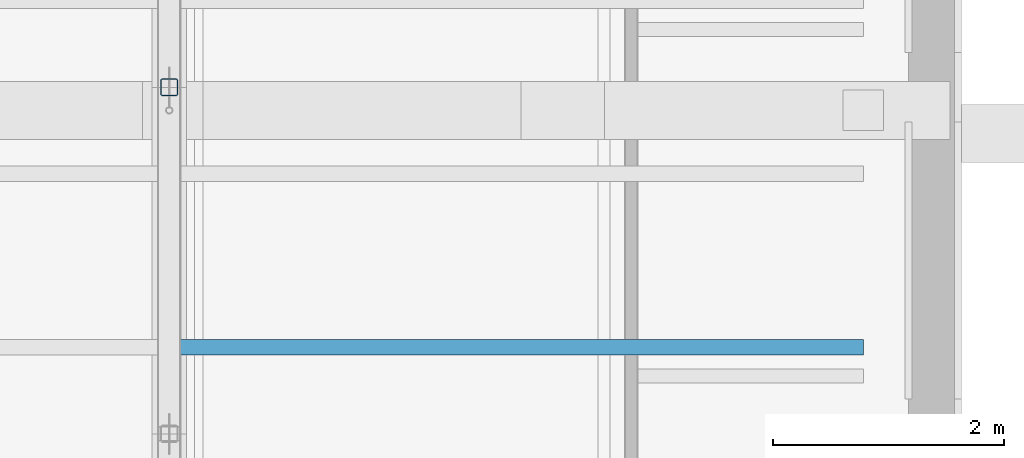
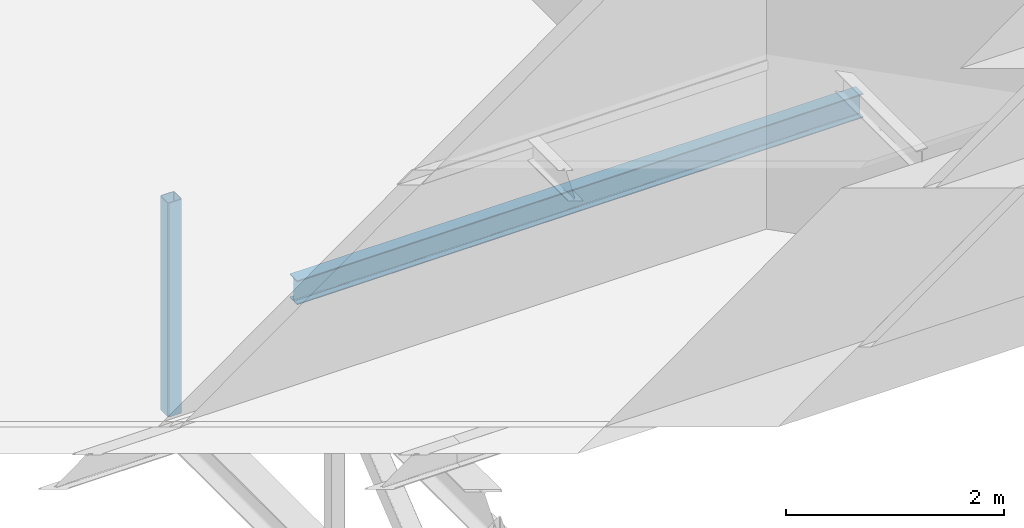
# One storey, part 12 of 55: 1 beam, 1 member.
"""IFC4 building model written with IfcOpenShell, lengths in metres."""

import ifcopenshell
import ifcopenshell.guid

model = None  # the IFC model being written
_history = None  # IfcOwnerHistory: only IFC2X3 demands one
_inside = {}  # id of a spatial element -> (the spatial element, [elements in it])
_under = {}  # id of a project, library or spatial element -> (it, [spatial elements below it])
_declared = {}  # id of a project -> (the project, [libraries it declares])
_typed = {}  # id of a type object -> (the type object, [elements of that type])
_made_of = {}  # id of a material, layer set ... -> (it, [elements and type objects made of it])


def new_model(schema):
    """Start an empty IFC model of exactly this schema.

    Asked for "IFC4X3", IfcOpenShell would pick the latest addendum, in which some entities
    have other attributes; the version numbers below select the first issue.
    IFC2X3 requires an IfcOwnerHistory on every rooted entity: one is made here for all.
    """
    global model, _history
    if schema == "IFC4X3":
        model = ifcopenshell.file(schema_version=(4, 3, 0, 0))
    else:
        model = ifcopenshell.file(schema=schema)
    _inside.clear()
    _under.clear()
    _declared.clear()
    _typed.clear()
    _made_of.clear()
    _history = None
    if model.schema == "IFC2X3":
        org = make("IfcOrganization", Name="unknown")
        user = make(
            "IfcPersonAndOrganization",
            ThePerson=make("IfcPerson", FamilyName="unknown"),
            TheOrganization=org,
        )
        app = make(
            "IfcApplication",
            ApplicationDeveloper=org,
            Version="unknown",
            ApplicationFullName="unknown",
            ApplicationIdentifier="unknown",
        )
        _history = make(
            "IfcOwnerHistory",
            OwningUser=user,
            OwningApplication=app,
            ChangeAction="ADDED",
            CreationDate=0,
        )
    return model


def make(cls, **values):
    """One entity of the class cls with the attributes given. An attribute that is None is left unset."""
    return model.create_entity(
        cls, **{name: value for name, value in values.items() if value is not None}
    )


def rooted(cls, **values):
    """An entity with a GlobalId (a new one), such as an element, a storey or a relation."""
    return make(cls, GlobalId=ifcopenshell.guid.new(), OwnerHistory=_history, **values)


def si_unit(unit_type, name, prefix=None):
    """IfcSIUnit, for example si_unit("LENGTHUNIT", "METRE", prefix="MILLI")."""
    return make("IfcSIUnit", UnitType=unit_type, Prefix=prefix, Name=name)


def assignment(units):
    """IfcUnitAssignment: the units of a project."""
    return None if units is None else make("IfcUnitAssignment", Units=units)


def point(xyz):
    """IfcCartesianPoint."""
    return None if xyz is None else make("IfcCartesianPoint", Coordinates=xyz)


def direction(xyz):
    """IfcDirection."""
    return None if xyz is None else make("IfcDirection", DirectionRatios=xyz)


def frame(location, z_axis=None, x_axis=None):
    """IfcAxis2Placement3D, a coordinate frame: its origin and axes. An axis left out is left unset."""
    return make(
        "IfcAxis2Placement3D",
        Location=point(location),
        Axis=direction(z_axis),
        RefDirection=direction(x_axis),
    )


def frame_2d(location, x_axis=None):
    """IfcAxis2Placement2D, a coordinate frame in the plane: its origin and x axis."""
    return make(
        "IfcAxis2Placement2D", Location=point(location), RefDirection=direction(x_axis)
    )


def origin():
    """The frame at (0, 0, 0) with its axes left unset."""
    return frame((0.0, 0.0, 0.0))


def origin_2d():
    """The frame at (0, 0) in the plane with its x axis left unset."""
    return frame_2d((0.0, 0.0))


def place(relative_to, where):
    """IfcLocalPlacement: puts the frame where relative to a parent placement (None: the world)."""
    return make(
        "IfcLocalPlacement", PlacementRelTo=relative_to, RelativePlacement=where
    )


def context(
    kind, dimensions, precision=None, world=None, true_north=None, identifier=None
):
    """IfcGeometricRepresentationContext, for example the 3D "Model" context."""
    return make(
        "IfcGeometricRepresentationContext",
        ContextIdentifier=identifier,
        ContextType=kind,
        CoordinateSpaceDimension=dimensions,
        Precision=precision,
        WorldCoordinateSystem=world,
        TrueNorth=true_north,
    )


def subcontext(parent, identifier, kind, view, scale=None):
    """IfcGeometricRepresentationSubContext, for example "Body" below "Model"."""
    return make(
        "IfcGeometricRepresentationSubContext",
        ContextIdentifier=identifier,
        ContextType=kind,
        ParentContext=parent,
        TargetScale=scale,
        TargetView=view,
    )


def project(units=None, contexts=None):
    """IfcProject with its units and contexts."""
    return rooted(
        "IfcProject",
        Name="project",
        RepresentationContexts=contexts,
        UnitsInContext=assignment(units),
    )


def spatial(cls, under=None, at=None, **own):
    """A site, building, storey or space (cls), placed at a placement, below another one or the project."""
    s = rooted(cls, ObjectPlacement=at, **own)
    if under is not None:
        _under.setdefault(under.id(), (under, []))[1].append(s)
    return s


def profile(cls, at=None, kind="AREA", **sizes):
    """A parametric profile (cls). Its sizes go by their IFC names, for example OverallWidth=200.0."""
    return make(cls, ProfileType=kind, Position=at, **sizes)


def hollow_rectangle(**sizes):
    """IfcRectangleHollowProfileDef."""
    return profile("IfcRectangleHollowProfileDef", **sizes)


def i_section(**sizes):
    """IfcIShapeProfileDef."""
    return profile("IfcIShapeProfileDef", **sizes)


def extrude(swept, where, along, depth):
    """IfcExtrudedAreaSolid: the profile swept, set in the frame where, extruded along a direction by depth."""
    return make(
        "IfcExtrudedAreaSolid",
        SweptArea=swept,
        Position=where,
        ExtrudedDirection=direction(along),
        Depth=depth,
    )


def shape(context_of_items, identifier, shape_type, items):
    """IfcShapeRepresentation: the items that make up one representation, for example the "Body"."""
    return make(
        "IfcShapeRepresentation",
        ContextOfItems=context_of_items,
        RepresentationIdentifier=identifier,
        RepresentationType=shape_type,
        Items=items,
    )


def material(Name=None, Category=None):
    """IfcMaterial."""
    return make("IfcMaterial", Name=Name, Category=Category)


def material_profile(
    of_material, cross_section, Name=None, Category=None, Priority=None
):
    """IfcMaterialProfile: a cross section and its material."""
    return make(
        "IfcMaterialProfile",
        Name=Name,
        Material=of_material,
        Profile=cross_section,
        Priority=Priority,
        Category=Category,
    )


def profile_set(profiles, Name=None, composite=None):
    """IfcMaterialProfileSet."""
    return make(
        "IfcMaterialProfileSet",
        Name=Name,
        MaterialProfiles=profiles,
        CompositeProfile=composite,
    )


def made_of(thing, what):
    """Note that an element or type object is made of a material, layer set ...; save() writes the relation."""
    if what is not None:
        _made_of.setdefault(what.id(), (what, []))[1].append(thing)
    return thing


def type_object(cls, material=None, **own):
    """A type object (cls), such as IfcWallType, which elements share."""
    return made_of(rooted(cls, **own), material)


def element(
    cls,
    number,
    at=None,
    inside=None,
    cuts=None,
    type_object=None,
    material=None,
    context=None,
    identifier="Body",
    shape_type=None,
    held_by="IfcProductDefinitionShape",
    body=None,
    shapes=None,
    **own,
):
    """One element of the class cls, such as IfcWall. Its Tag is "e" and its number.

    at: its placement. inside: the storey or other place that contains it. cuts: it is an
    opening in that element (IfcRelVoidsElement). A single representation is given by context,
    identifier, shape_type and body (its items); several are given by shapes. held_by: the class
    of the entity that holds the representations. save() writes the other relations.
    """
    e = rooted(cls, Tag="e%d" % number, ObjectPlacement=at, **own)
    if body is not None:
        shapes = [shape(context, identifier, shape_type, body)]
    if shapes is not None:
        e.Representation = make(held_by, Representations=shapes)
    if inside is not None:
        _inside.setdefault(inside.id(), (inside, []))[1].append(e)
    if cuts is not None:
        rooted(
            "IfcRelVoidsElement", RelatingBuildingElement=cuts, RelatedOpeningElement=e
        )
    if type_object is not None:
        _typed.setdefault(type_object.id(), (type_object, []))[1].append(e)
    return made_of(e, material)


def aggregate(whole, parts):
    """IfcRelAggregates: a whole, such as a stair, and the parts it consists of."""
    return rooted("IfcRelAggregates", RelatingObject=whole, RelatedObjects=parts)


def save(model, path):
    """Write the relations noted so far, then the file.

    IfcRelAggregates (storeys below a building ...), IfcRelContainedInSpatialStructure (elements
    in a storey), IfcRelDefinesByType, IfcRelAssociatesMaterial and IfcRelDeclares: one each for
    every whole, place, type object, material and project.
    """
    for whole, parts in _under.values():
        aggregate(whole, parts)
    for where, things in _inside.values():
        rooted(
            "IfcRelContainedInSpatialStructure",
            RelatedElements=things,
            RelatingStructure=where,
        )
    for kind, things in _typed.values():
        rooted("IfcRelDefinesByType", RelatedObjects=things, RelatingType=kind)
    for what, things in _made_of.values():
        rooted("IfcRelAssociatesMaterial", RelatedObjects=things, RelatingMaterial=what)
    for by, libraries in _declared.values():
        rooted("IfcRelDeclares", RelatingContext=by, RelatedDefinitions=libraries)
    model.write(path)


model = new_model("IFC4")

# Units and contexts
model_context = context("Model", 3, precision=1e-05, world=origin(), true_north=direction((0.0, 1.0)))
body_context = subcontext(model_context, "Body", "Model", "MODEL_VIEW")
ifc_project = project(units=[si_unit("LENGTHUNIT", "METRE"), si_unit("AREAUNIT", "SQUARE_METRE"), si_unit("VOLUMEUNIT", "CUBIC_METRE"), si_unit("PLANEANGLEUNIT", "RADIAN"), si_unit("MASSUNIT", "GRAM", prefix="KILO")], contexts=[model_context])

# Site, building, storey
site_placement = place(None, origin())
site = spatial("IfcSite", under=ifc_project, at=site_placement, CompositionType="ELEMENT")
building_placement = place(site_placement, origin())
building = spatial("IfcBuilding", under=site, at=building_placement, Name="Lunette Opera House", CompositionType="ELEMENT")
storey_placement = place(building_placement, frame((0.0, 0.0, 34.0)))
storey = spatial("IfcBuildingStorey", under=building, at=storey_placement, Name="L06", CompositionType="ELEMENT", Elevation=34.0)

# Beam
ifc_material_1 = material(Name="Steel S355", Category="steel")
ifc_material_profile_1 = material_profile(ifc_material_1, i_section(OverallWidth=0.135009765625, OverallDepth=0.27001953125, WebThickness=0.006591796875, FlangeThickness=0.01025390625, FilletRadius=0.014892578125, at=origin_2d()), Name="IPE 270")
ifc_profile_set_1 = profile_set([ifc_material_profile_1], Name="Steel S355")
beam_type = type_object("IfcBeamType", Name="STEEL BEAM IPE 270", PredefinedType="BEAM", material=ifc_profile_set_1)
beam_placement = place(storey_placement, frame((102.0, 99.75, -0.3349609375), z_axis=(1.0, 0.0, 0.0), x_axis=(0.0, 1.0, 0.0)))
element("IfcBeam", 1, at=beam_placement, inside=storey, type_object=beam_type, Name="beam-ST-L06-GRID-9975-4", PredefinedType="BEAM", context=body_context, shape_type="SweptSolid", body=[
    extrude(i_section(OverallWidth=0.135009765625, OverallDepth=0.27001953125, WebThickness=0.006591796875, FlangeThickness=0.01025390625, FilletRadius=0.014892578125, at=origin_2d()), origin(), (0.0, 0.0, 1.0), 6.010009765625),
])

# Member
ifc_material_2 = material(Name="Steel S355", Category="steel")
ifc_material_profile_2 = material_profile(ifc_material_2, hollow_rectangle(XDim=0.14990234375, YDim=0.14990234375, WallThickness=0.008056640625, InnerFilletRadius=0.008056640625, OuterFilletRadius=0.01611328125, at=origin_2d()), Name="RHS 150X150X8")
ifc_profile_set_2 = profile_set([ifc_material_profile_2], Name="Steel S355")
member_type = type_object("IfcMemberType", Name="VERTICAL RHS 150X150X8", PredefinedType="POST", material=ifc_profile_set_2)
member_placement = place(storey_placement, frame((102.0, 102.0, -3.06494140625), z_axis=(0.0, 0.0, 1.0), x_axis=(1.0, 0.0, 0.0)))
element("IfcMember", 2, at=member_placement, inside=storey, type_object=member_type, Name="mem-ST-L06-ST-TR03-TV3", PredefinedType="POST", context=body_context, shape_type="SweptSolid", body=[
    extrude(hollow_rectangle(XDim=0.14990234375, YDim=0.14990234375, WallThickness=0.008056640625, InnerFilletRadius=0.008056640625, OuterFilletRadius=0.01611328125, at=origin_2d()), origin(), (0.0, 0.0, 1.0), 2.39990234375),
])

save(model, "model.ifc")
